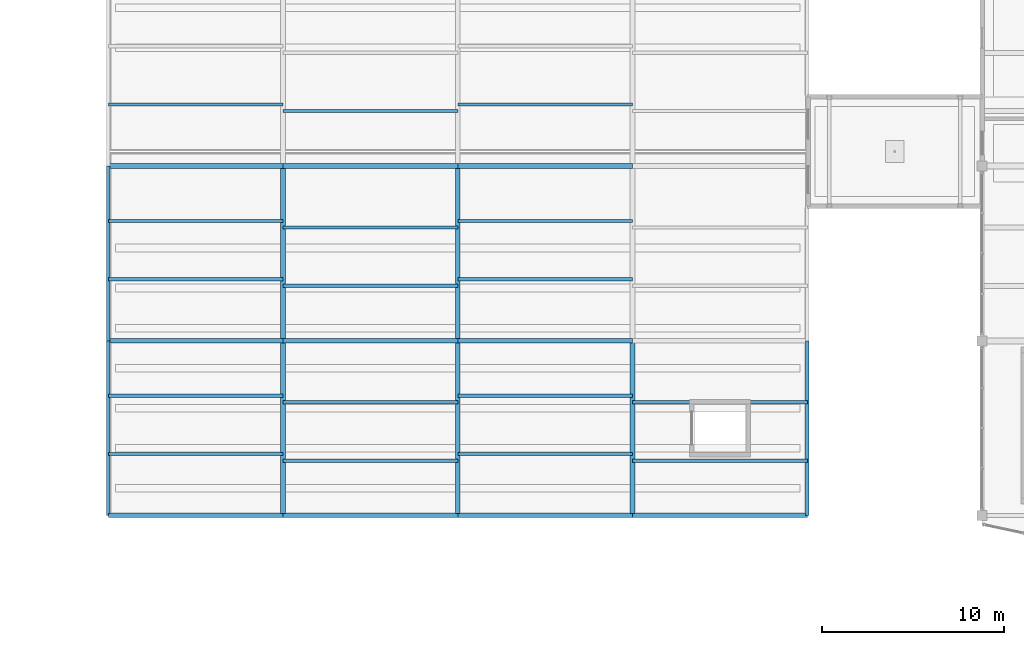
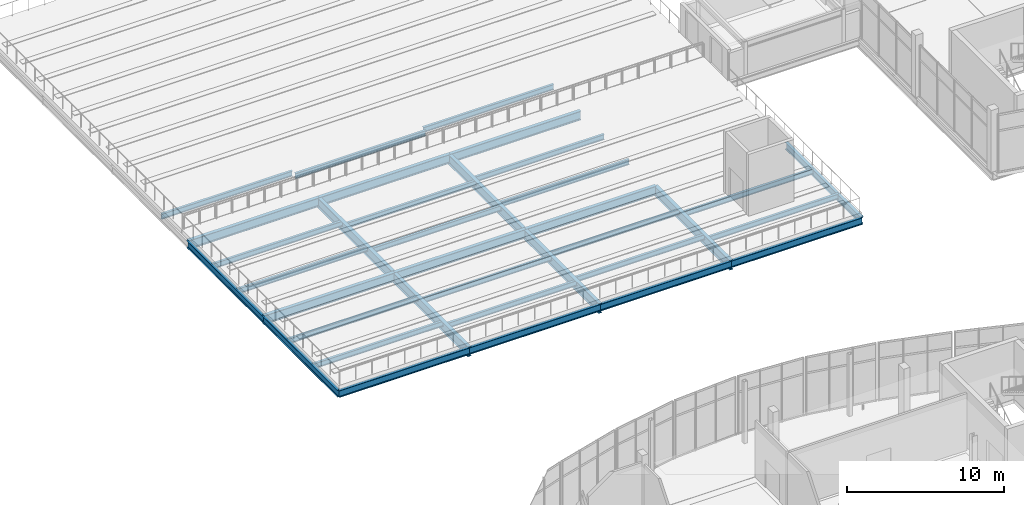
# One storey, part 67 of 157: 35 beams.
"""IFC4 building model written with IfcOpenShell, lengths in metres."""

from ifc_helpers import new_model, si_unit, direction, frame, origin, origin_2d, place, context, subcontext, project, spatial, i_section, extrude, material, material_profile, profile_set, type_object, element, save


model = new_model("IFC4")

# Units and contexts
model_context = context("Model", 3, precision=1e-05, world=origin(), true_north=direction((0.0, 1.0)))
body_context = subcontext(model_context, "Body", "Model", "MODEL_VIEW")
ifc_project = project(units=[si_unit("LENGTHUNIT", "METRE"), si_unit("AREAUNIT", "SQUARE_METRE"), si_unit("VOLUMEUNIT", "CUBIC_METRE"), si_unit("PLANEANGLEUNIT", "RADIAN"), si_unit("MASSUNIT", "GRAM", prefix="KILO")], contexts=[model_context])

# Site, building, storey
site_placement = place(None, origin())
site = spatial("IfcSite", under=ifc_project, at=site_placement, CompositionType="ELEMENT")
building_placement = place(site_placement, origin())
building = spatial("IfcBuilding", under=site, at=building_placement, Name="Chalmorin Arch Market", CompositionType="ELEMENT")
storey_placement = place(building_placement, frame((0.0, 0.0, 4.800048828125)))
storey = spatial("IfcBuildingStorey", under=building, at=storey_placement, Name="L01", CompositionType="ELEMENT", Elevation=4.800048828125)

# Beams
ifc_material = material(Name="Steel A992 Grade 50", Category="steel")
ifc_material_profile_1 = material_profile(ifc_material, i_section(OverallWidth=0.256103515625, OverallDepth=0.693115234375, WebThickness=0.014404296875, FlangeThickness=0.023681640625, FilletRadius=0.02587890625, at=origin_2d()), Name="W27X114")
ifc_profile_set_1 = profile_set([ifc_material_profile_1], Name="Steel A992 Grade 50")
beam_type_1 = type_object("IfcBeamType", Name="LongSpanGirder-W27X114", PredefinedType="BEAM", material=ifc_profile_set_1)
for number, where, z_axis, x_axis, name in (
    (1, (0.0, 81.60009765625, -0.6884765625), (1.0, 0.0, 0.0), (0.0, 1.0, 0.0), "BG-W27B-0710"),
    (2, (0.0, 91.199951171875, -0.6884765625), (1.0, 0.0, 0.0), (0.0, 1.0, 0.0), "BG-W27B-0713"),
):
    element("IfcBeam", number, at=place(storey_placement, frame(where, z_axis=z_axis, x_axis=x_axis)), inside=storey, type_object=beam_type_1, Name=name, PredefinedType="BEAM", context=body_context, shape_type="SweptSolid", body=[
        extrude(i_section(OverallWidth=0.256103515625, OverallDepth=0.693115234375, WebThickness=0.014404296875, FlangeThickness=0.023681640625, FilletRadius=0.02587890625, at=origin_2d()), origin(), (0.0, 0.0, 1.0), 9.60009765625),
    ])
for number, where, z_axis, x_axis, name in (
    (3, (9.60009765625, 81.60009765625, -0.6884765625), (1.0, 0.0, 0.0), (0.0, 1.0, 0.0), "BG-W27B-0726"),
    (4, (9.60009765625, 91.199951171875, -0.6884765625), (1.0, 0.0, 0.0), (0.0, 1.0, 0.0), "BG-W27B-0728"),
):
    element("IfcBeam", number, at=place(storey_placement, frame(where, z_axis=z_axis, x_axis=x_axis)), inside=storey, type_object=beam_type_1, Name=name, PredefinedType="BEAM", context=body_context, shape_type="SweptSolid", body=[
        extrude(i_section(OverallWidth=0.256103515625, OverallDepth=0.693115234375, WebThickness=0.014404296875, FlangeThickness=0.023681640625, FilletRadius=0.02587890625, at=origin_2d()), origin(), (0.0, 0.0, 1.0), 9.599853515625),
    ])
for number, where, z_axis, x_axis, name in (
    (5, (19.199951171875, 81.60009765625, -0.6884765625), (1.0, 0.0, 0.0), (0.0, 1.0, 0.0), "BG-W27B-0737"),
    (6, (19.199951171875, 91.199951171875, -0.6884765625), (1.0, 0.0, 0.0), (0.0, 1.0, 0.0), "BG-W27B-0739"),
):
    element("IfcBeam", number, at=place(storey_placement, frame(where, z_axis=z_axis, x_axis=x_axis)), inside=storey, type_object=beam_type_1, Name=name, PredefinedType="BEAM", context=body_context, shape_type="SweptSolid", body=[
        extrude(i_section(OverallWidth=0.256103515625, OverallDepth=0.693115234375, WebThickness=0.014404296875, FlangeThickness=0.023681640625, FilletRadius=0.02587890625, at=origin_2d()), origin(), (0.0, 0.0, 1.0), 9.60009765625),
    ])
ifc_material_profile_2 = material_profile(ifc_material, i_section(OverallWidth=0.264892578125, OverallDepth=0.7529296875, WebThickness=0.01318359375, FlangeThickness=0.01708984375, FilletRadius=0.028076171875, at=origin_2d()), Name="W30X99")
ifc_profile_set_2 = profile_set([ifc_material_profile_2], Name="Steel A992 Grade 50")
beam_type_2 = type_object("IfcBeamType", Name="LongSpanGirder-W30X99", PredefinedType="BEAM", material=ifc_profile_set_2)
beam_1_placement = place(storey_placement, frame((9.60009765625, 72.0, -0.718505859375), z_axis=(0.0, 1.0, 0.0), x_axis=(-1.0, 0.0, 0.0)))
element("IfcBeam", 7, at=beam_1_placement, inside=storey, type_object=beam_type_2, Name="BG-W30B-0712", PredefinedType="BEAM", context=body_context, shape_type="SweptSolid", body=[
    extrude(i_section(OverallWidth=0.264892578125, OverallDepth=0.7529296875, WebThickness=0.01318359375, FlangeThickness=0.01708984375, FilletRadius=0.028076171875, at=origin_2d()), origin(), (0.0, 0.0, 1.0), 9.60009765625),
])
beam_2_placement = place(storey_placement, frame((9.60009765625, 81.60009765625, -0.718505859375), z_axis=(0.0, 1.0, 0.0), x_axis=(-1.0, 0.0, 0.0)))
element("IfcBeam", 8, at=beam_2_placement, inside=storey, type_object=beam_type_2, Name="BG-W30B-0715", PredefinedType="BEAM", context=body_context, shape_type="SweptSolid", body=[
    extrude(i_section(OverallWidth=0.264892578125, OverallDepth=0.7529296875, WebThickness=0.01318359375, FlangeThickness=0.01708984375, FilletRadius=0.028076171875, at=origin_2d()), origin(), (0.0, 0.0, 1.0), 9.599853515625),
])
beam_3_placement = place(storey_placement, frame((19.199951171875, 72.0, -0.718505859375), z_axis=(0.0, 1.0, 0.0), x_axis=(-1.0, 0.0, 0.0)))
element("IfcBeam", 9, at=beam_3_placement, inside=storey, type_object=beam_type_2, Name="BG-W30B-0727", PredefinedType="BEAM", context=body_context, shape_type="SweptSolid", body=[
    extrude(i_section(OverallWidth=0.264892578125, OverallDepth=0.7529296875, WebThickness=0.01318359375, FlangeThickness=0.01708984375, FilletRadius=0.028076171875, at=origin_2d()), origin(), (0.0, 0.0, 1.0), 9.60009765625),
])
beam_4_placement = place(storey_placement, frame((19.199951171875, 81.60009765625, -0.718505859375), z_axis=(0.0, 1.0, 0.0), x_axis=(-1.0, 0.0, 0.0)))
element("IfcBeam", 10, at=beam_4_placement, inside=storey, type_object=beam_type_2, Name="BG-W30B-0729", PredefinedType="BEAM", context=body_context, shape_type="SweptSolid", body=[
    extrude(i_section(OverallWidth=0.264892578125, OverallDepth=0.7529296875, WebThickness=0.01318359375, FlangeThickness=0.01708984375, FilletRadius=0.028076171875, at=origin_2d()), origin(), (0.0, 0.0, 1.0), 9.599853515625),
])
beam_5_placement = place(storey_placement, frame((28.800048828125, 72.0, -0.718505859375), z_axis=(0.0, 1.0, 0.0), x_axis=(-1.0, 0.0, 0.0)))
element("IfcBeam", 11, at=beam_5_placement, inside=storey, type_object=beam_type_2, Name="BG-W30B-0738", PredefinedType="BEAM", context=body_context, shape_type="SweptSolid", body=[
    extrude(i_section(OverallWidth=0.264892578125, OverallDepth=0.7529296875, WebThickness=0.01318359375, FlangeThickness=0.01708984375, FilletRadius=0.028076171875, at=origin_2d()), origin(), (0.0, 0.0, 1.0), 9.60009765625),
])
ifc_material_profile_3 = material_profile(ifc_material, i_section(OverallWidth=0.208984375, OverallDepth=0.532958984375, WebThickness=0.01025390625, FlangeThickness=0.015625, FilletRadius=0.02197265625, at=origin_2d()), Name="W21X62")
ifc_profile_set_3 = profile_set([ifc_material_profile_3], Name="Steel A992 Grade 50")
beam_type_3 = type_object("IfcBeamType", Name="PerimeterSpandrelBeam-W21X62", PredefinedType="SPANDREL", material=ifc_profile_set_3)
for number, where, z_axis, x_axis, name in (
    (12, (0.0, 72.0, -0.608642578125), (1.0, 0.0, 0.0), (0.0, 1.0, 0.0), "SP-W21-0709"),
    (13, (0.0, 72.0, -0.608642578125), (0.0, 1.0, 0.0), (-1.0, 0.0, 0.0), "SP-W21-0711"),
):
    element("IfcBeam", number, at=place(storey_placement, frame(where, z_axis=z_axis, x_axis=x_axis)), inside=storey, type_object=beam_type_3, Name=name, PredefinedType="SPANDREL", context=body_context, shape_type="SweptSolid", body=[
        extrude(i_section(OverallWidth=0.208984375, OverallDepth=0.532958984375, WebThickness=0.01025390625, FlangeThickness=0.015625, FilletRadius=0.02197265625, at=origin_2d()), origin(), (0.0, 0.0, 1.0), 9.60009765625),
    ])
for number, where, z_axis, x_axis, name in (
    (14, (0.0, 81.60009765625, -0.608642578125), (0.0, 1.0, 0.0), (-1.0, 0.0, 0.0), "SP-W21-0714"),
    (15, (9.60009765625, 72.0, -0.608642578125), (1.0, 0.0, 0.0), (0.0, 1.0, 0.0), "SP-W21-0725"),
):
    element("IfcBeam", number, at=place(storey_placement, frame(where, z_axis=z_axis, x_axis=x_axis)), inside=storey, type_object=beam_type_3, Name=name, PredefinedType="SPANDREL", context=body_context, shape_type="SweptSolid", body=[
        extrude(i_section(OverallWidth=0.208984375, OverallDepth=0.532958984375, WebThickness=0.01025390625, FlangeThickness=0.015625, FilletRadius=0.02197265625, at=origin_2d()), origin(), (0.0, 0.0, 1.0), 9.599853515625),
    ])
beam_6_placement = place(storey_placement, frame((19.199951171875, 72.0, -0.608642578125), z_axis=(1.0, 0.0, 0.0), x_axis=(0.0, 1.0, 0.0)))
element("IfcBeam", 16, at=beam_6_placement, inside=storey, type_object=beam_type_3, Name="SP-W21-0736", PredefinedType="SPANDREL", context=body_context, shape_type="SweptSolid", body=[
    extrude(i_section(OverallWidth=0.208984375, OverallDepth=0.532958984375, WebThickness=0.01025390625, FlangeThickness=0.015625, FilletRadius=0.02197265625, at=origin_2d()), origin(), (0.0, 0.0, 1.0), 9.60009765625),
])
beam_7_placement = place(storey_placement, frame((28.800048828125, 72.0, -0.608642578125), z_axis=(1.0, 0.0, 0.0), x_axis=(0.0, 1.0, 0.0)))
element("IfcBeam", 17, at=beam_7_placement, inside=storey, type_object=beam_type_3, Name="SP-W21-0747", PredefinedType="SPANDREL", context=body_context, shape_type="SweptSolid", body=[
    extrude(i_section(OverallWidth=0.208984375, OverallDepth=0.532958984375, WebThickness=0.01025390625, FlangeThickness=0.015625, FilletRadius=0.02197265625, at=origin_2d()), origin(), (0.0, 0.0, 1.0), 9.599853515625),
])
beam_8_placement = place(storey_placement, frame((38.39990234375, 72.0, -0.608642578125), z_axis=(0.0, 1.0, 0.0), x_axis=(-1.0, 0.0, 0.0)))
element("IfcBeam", 18, at=beam_8_placement, inside=storey, type_object=beam_type_3, Name="SP-W21-0749", PredefinedType="SPANDREL", context=body_context, shape_type="SweptSolid", body=[
    extrude(i_section(OverallWidth=0.208984375, OverallDepth=0.532958984375, WebThickness=0.01025390625, FlangeThickness=0.015625, FilletRadius=0.02197265625, at=origin_2d()), origin(), (0.0, 0.0, 1.0), 9.60009765625),
])
ifc_material_profile_4 = material_profile(ifc_material, i_section(OverallWidth=0.178955078125, OverallDepth=0.409912109375, WebThickness=0.0087890625, FlangeThickness=0.014404296875, FilletRadius=0.01806640625, at=origin_2d()), Name="W16X45")
ifc_profile_set_4 = profile_set([ifc_material_profile_4], Name="Steel A992 Grade 50")
beam_type_4 = type_object("IfcBeamType", Name="SecondaryFloorJoist-W16X45", PredefinedType="JOIST", material=ifc_profile_set_4)
for number, where, z_axis, x_axis, name in (
    (19, (0.0, 75.3798828125, -0.547119140625), (1.0, 0.0, 0.0), (0.0, 1.0, 0.0), "BJ-W16A-0758"),
    (20, (0.0, 78.580078125, -0.547119140625), (1.0, 0.0, 0.0), (0.0, 1.0, 0.0), "BJ-W16A-0759"),
    (21, (0.0, 84.97998046875, -0.547119140625), (1.0, 0.0, 0.0), (0.0, 1.0, 0.0), "BJ-W16A-0760"),
    (22, (0.0, 88.179931640625, -0.547119140625), (1.0, 0.0, 0.0), (0.0, 1.0, 0.0), "BJ-W16A-0761"),
    (23, (0.0, 94.580078125, -0.547119140625), (1.0, 0.0, 0.0), (0.0, 1.0, 0.0), "BJ-W16A-0762"),
):
    element("IfcBeam", number, at=place(storey_placement, frame(where, z_axis=z_axis, x_axis=x_axis)), inside=storey, type_object=beam_type_4, Name=name, PredefinedType="JOIST", context=body_context, shape_type="SweptSolid", body=[
        extrude(i_section(OverallWidth=0.178955078125, OverallDepth=0.409912109375, WebThickness=0.0087890625, FlangeThickness=0.014404296875, FilletRadius=0.01806640625, at=origin_2d()), origin(), (0.0, 0.0, 1.0), 9.60009765625),
    ])
for number, where, z_axis, x_axis, name in (
    (24, (9.60009765625, 75.02001953125, -0.547119140625), (1.0, 0.0, 0.0), (0.0, 1.0, 0.0), "BJ-W16A-0768"),
    (25, (9.60009765625, 78.219970703125, -0.547119140625), (1.0, 0.0, 0.0), (0.0, 1.0, 0.0), "BJ-W16A-0769"),
    (26, (9.60009765625, 84.6201171875, -0.547119140625), (1.0, 0.0, 0.0), (0.0, 1.0, 0.0), "BJ-W16A-0770"),
    (27, (9.60009765625, 87.820068359375, -0.547119140625), (1.0, 0.0, 0.0), (0.0, 1.0, 0.0), "BJ-W16A-0771"),
    (28, (9.60009765625, 94.219970703125, -0.547119140625), (1.0, 0.0, 0.0), (0.0, 1.0, 0.0), "BJ-W16A-0772"),
):
    element("IfcBeam", number, at=place(storey_placement, frame(where, z_axis=z_axis, x_axis=x_axis)), inside=storey, type_object=beam_type_4, Name=name, PredefinedType="JOIST", context=body_context, shape_type="SweptSolid", body=[
        extrude(i_section(OverallWidth=0.178955078125, OverallDepth=0.409912109375, WebThickness=0.0087890625, FlangeThickness=0.014404296875, FilletRadius=0.01806640625, at=origin_2d()), origin(), (0.0, 0.0, 1.0), 9.599853515625),
    ])
for number, where, z_axis, x_axis, name in (
    (29, (19.199951171875, 75.3798828125, -0.547119140625), (1.0, 0.0, 0.0), (0.0, 1.0, 0.0), "BJ-W16A-0778"),
    (30, (19.199951171875, 78.580078125, -0.547119140625), (1.0, 0.0, 0.0), (0.0, 1.0, 0.0), "BJ-W16A-0779"),
    (31, (19.199951171875, 84.97998046875, -0.547119140625), (1.0, 0.0, 0.0), (0.0, 1.0, 0.0), "BJ-W16A-0780"),
    (32, (19.199951171875, 88.179931640625, -0.547119140625), (1.0, 0.0, 0.0), (0.0, 1.0, 0.0), "BJ-W16A-0781"),
    (33, (19.199951171875, 94.580078125, -0.547119140625), (1.0, 0.0, 0.0), (0.0, 1.0, 0.0), "BJ-W16A-0782"),
):
    element("IfcBeam", number, at=place(storey_placement, frame(where, z_axis=z_axis, x_axis=x_axis)), inside=storey, type_object=beam_type_4, Name=name, PredefinedType="JOIST", context=body_context, shape_type="SweptSolid", body=[
        extrude(i_section(OverallWidth=0.178955078125, OverallDepth=0.409912109375, WebThickness=0.0087890625, FlangeThickness=0.014404296875, FilletRadius=0.01806640625, at=origin_2d()), origin(), (0.0, 0.0, 1.0), 9.60009765625),
    ])
for number, where, z_axis, x_axis, name in (
    (34, (28.800048828125, 75.02001953125, -0.547119140625), (1.0, 0.0, 0.0), (0.0, 1.0, 0.0), "BJ-W16A-0788"),
    (35, (28.800048828125, 78.219970703125, -0.547119140625), (1.0, 0.0, 0.0), (0.0, 1.0, 0.0), "BJ-W16A-0789"),
):
    element("IfcBeam", number, at=place(storey_placement, frame(where, z_axis=z_axis, x_axis=x_axis)), inside=storey, type_object=beam_type_4, Name=name, PredefinedType="JOIST", context=body_context, shape_type="SweptSolid", body=[
        extrude(i_section(OverallWidth=0.178955078125, OverallDepth=0.409912109375, WebThickness=0.0087890625, FlangeThickness=0.014404296875, FilletRadius=0.01806640625, at=origin_2d()), origin(), (0.0, 0.0, 1.0), 9.599853515625),
    ])

save(model, "model.ifc")
